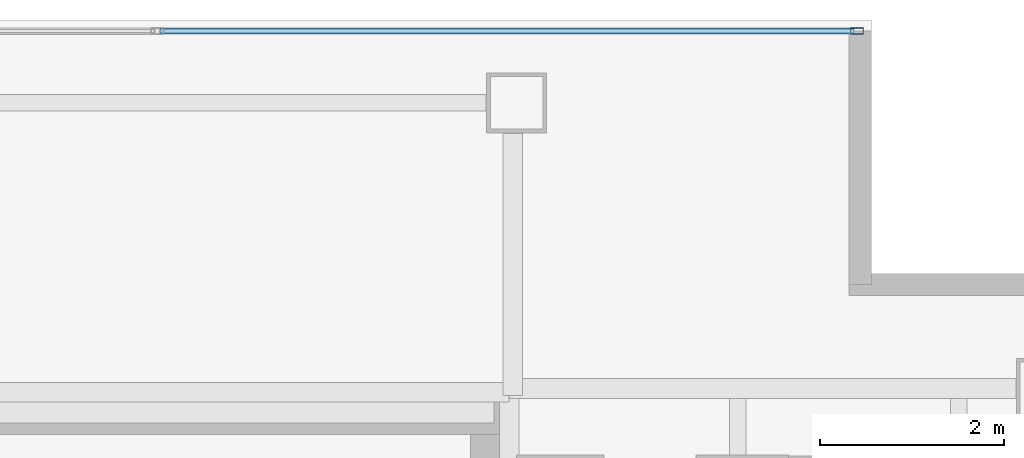
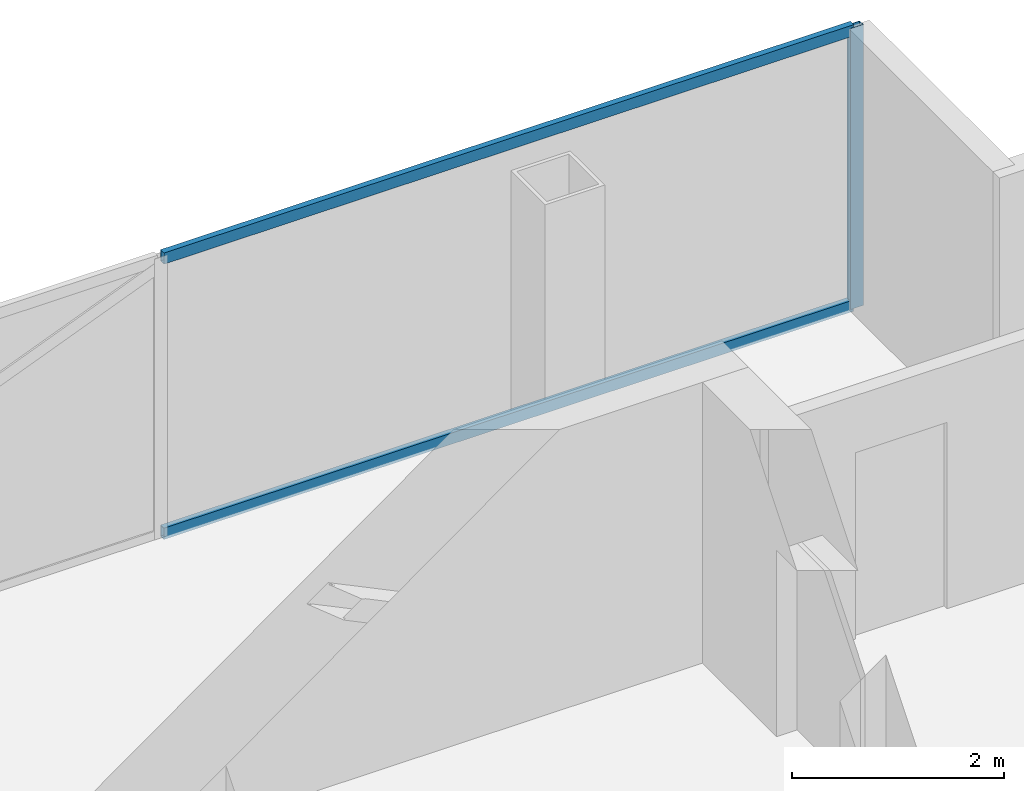
# One storey, part 19 of 24: 3 members, 1 element without a shape of its own.
"""IFC4 building model written with IfcOpenShell, lengths in metres."""

import ifcopenshell
import ifcopenshell.guid

model = None  # the IFC model being written
_history = None  # IfcOwnerHistory: only IFC2X3 demands one
_inside = {}  # id of a spatial element -> (the spatial element, [elements in it])
_under = {}  # id of a project, library or spatial element -> (it, [spatial elements below it])
_declared = {}  # id of a project -> (the project, [libraries it declares])
_typed = {}  # id of a type object -> (the type object, [elements of that type])
_made_of = {}  # id of a material, layer set ... -> (it, [elements and type objects made of it])


def new_model(schema):
    """Start an empty IFC model of exactly this schema.

    Asked for "IFC4X3", IfcOpenShell would pick the latest addendum, in which some entities
    have other attributes; the version numbers below select the first issue.
    IFC2X3 requires an IfcOwnerHistory on every rooted entity: one is made here for all.
    """
    global model, _history
    if schema == "IFC4X3":
        model = ifcopenshell.file(schema_version=(4, 3, 0, 0))
    else:
        model = ifcopenshell.file(schema=schema)
    _inside.clear()
    _under.clear()
    _declared.clear()
    _typed.clear()
    _made_of.clear()
    _history = None
    if model.schema == "IFC2X3":
        org = make("IfcOrganization", Name="unknown")
        user = make(
            "IfcPersonAndOrganization",
            ThePerson=make("IfcPerson", FamilyName="unknown"),
            TheOrganization=org,
        )
        app = make(
            "IfcApplication",
            ApplicationDeveloper=org,
            Version="unknown",
            ApplicationFullName="unknown",
            ApplicationIdentifier="unknown",
        )
        _history = make(
            "IfcOwnerHistory",
            OwningUser=user,
            OwningApplication=app,
            ChangeAction="ADDED",
            CreationDate=0,
        )
    return model


def make(cls, **values):
    """One entity of the class cls with the attributes given. An attribute that is None is left unset."""
    return model.create_entity(
        cls, **{name: value for name, value in values.items() if value is not None}
    )


def rooted(cls, **values):
    """An entity with a GlobalId (a new one), such as an element, a storey or a relation."""
    return make(cls, GlobalId=ifcopenshell.guid.new(), OwnerHistory=_history, **values)


def si_unit(unit_type, name, prefix=None):
    """IfcSIUnit, for example si_unit("LENGTHUNIT", "METRE", prefix="MILLI")."""
    return make("IfcSIUnit", UnitType=unit_type, Prefix=prefix, Name=name)


def assignment(units):
    """IfcUnitAssignment: the units of a project."""
    return None if units is None else make("IfcUnitAssignment", Units=units)


def point(xyz):
    """IfcCartesianPoint."""
    return None if xyz is None else make("IfcCartesianPoint", Coordinates=xyz)


def direction(xyz):
    """IfcDirection."""
    return None if xyz is None else make("IfcDirection", DirectionRatios=xyz)


def frame(location, z_axis=None, x_axis=None):
    """IfcAxis2Placement3D, a coordinate frame: its origin and axes. An axis left out is left unset."""
    return make(
        "IfcAxis2Placement3D",
        Location=point(location),
        Axis=direction(z_axis),
        RefDirection=direction(x_axis),
    )


def frame_2d(location, x_axis=None):
    """IfcAxis2Placement2D, a coordinate frame in the plane: its origin and x axis."""
    return make(
        "IfcAxis2Placement2D", Location=point(location), RefDirection=direction(x_axis)
    )


def origin():
    """The frame at (0, 0, 0) with its axes left unset."""
    return frame((0.0, 0.0, 0.0))


def origin_2d():
    """The frame at (0, 0) in the plane with its x axis left unset."""
    return frame_2d((0.0, 0.0))


def place(relative_to, where):
    """IfcLocalPlacement: puts the frame where relative to a parent placement (None: the world)."""
    return make(
        "IfcLocalPlacement", PlacementRelTo=relative_to, RelativePlacement=where
    )


def context(
    kind, dimensions, precision=None, world=None, true_north=None, identifier=None
):
    """IfcGeometricRepresentationContext, for example the 3D "Model" context."""
    return make(
        "IfcGeometricRepresentationContext",
        ContextIdentifier=identifier,
        ContextType=kind,
        CoordinateSpaceDimension=dimensions,
        Precision=precision,
        WorldCoordinateSystem=world,
        TrueNorth=true_north,
    )


def subcontext(parent, identifier, kind, view, scale=None):
    """IfcGeometricRepresentationSubContext, for example "Body" below "Model"."""
    return make(
        "IfcGeometricRepresentationSubContext",
        ContextIdentifier=identifier,
        ContextType=kind,
        ParentContext=parent,
        TargetScale=scale,
        TargetView=view,
    )


def project(units=None, contexts=None):
    """IfcProject with its units and contexts."""
    return rooted(
        "IfcProject",
        Name="project",
        RepresentationContexts=contexts,
        UnitsInContext=assignment(units),
    )


def spatial(cls, under=None, at=None, **own):
    """A site, building, storey or space (cls), placed at a placement, below another one or the project."""
    s = rooted(cls, ObjectPlacement=at, **own)
    if under is not None:
        _under.setdefault(under.id(), (under, []))[1].append(s)
    return s


def profile(cls, at=None, kind="AREA", **sizes):
    """A parametric profile (cls). Its sizes go by their IFC names, for example OverallWidth=200.0."""
    return make(cls, ProfileType=kind, Position=at, **sizes)


def hollow_rectangle(**sizes):
    """IfcRectangleHollowProfileDef."""
    return profile("IfcRectangleHollowProfileDef", **sizes)


def extrude(swept, where, along, depth):
    """IfcExtrudedAreaSolid: the profile swept, set in the frame where, extruded along a direction by depth."""
    return make(
        "IfcExtrudedAreaSolid",
        SweptArea=swept,
        Position=where,
        ExtrudedDirection=direction(along),
        Depth=depth,
    )


def shape(context_of_items, identifier, shape_type, items):
    """IfcShapeRepresentation: the items that make up one representation, for example the "Body"."""
    return make(
        "IfcShapeRepresentation",
        ContextOfItems=context_of_items,
        RepresentationIdentifier=identifier,
        RepresentationType=shape_type,
        Items=items,
    )


def material(Name=None, Category=None):
    """IfcMaterial."""
    return make("IfcMaterial", Name=Name, Category=Category)


def material_profile(
    of_material, cross_section, Name=None, Category=None, Priority=None
):
    """IfcMaterialProfile: a cross section and its material."""
    return make(
        "IfcMaterialProfile",
        Name=Name,
        Material=of_material,
        Profile=cross_section,
        Priority=Priority,
        Category=Category,
    )


def profile_set(profiles, Name=None, composite=None):
    """IfcMaterialProfileSet."""
    return make(
        "IfcMaterialProfileSet",
        Name=Name,
        MaterialProfiles=profiles,
        CompositeProfile=composite,
    )


def made_of(thing, what):
    """Note that an element or type object is made of a material, layer set ...; save() writes the relation."""
    if what is not None:
        _made_of.setdefault(what.id(), (what, []))[1].append(thing)
    return thing


def type_object(cls, material=None, **own):
    """A type object (cls), such as IfcWallType, which elements share."""
    return made_of(rooted(cls, **own), material)


def element(
    cls,
    number,
    at=None,
    inside=None,
    cuts=None,
    type_object=None,
    material=None,
    context=None,
    identifier="Body",
    shape_type=None,
    held_by="IfcProductDefinitionShape",
    body=None,
    shapes=None,
    **own,
):
    """One element of the class cls, such as IfcWall. Its Tag is "e" and its number.

    at: its placement. inside: the storey or other place that contains it. cuts: it is an
    opening in that element (IfcRelVoidsElement). A single representation is given by context,
    identifier, shape_type and body (its items); several are given by shapes. held_by: the class
    of the entity that holds the representations. save() writes the other relations.
    """
    e = rooted(cls, Tag="e%d" % number, ObjectPlacement=at, **own)
    if body is not None:
        shapes = [shape(context, identifier, shape_type, body)]
    if shapes is not None:
        e.Representation = make(held_by, Representations=shapes)
    if inside is not None:
        _inside.setdefault(inside.id(), (inside, []))[1].append(e)
    if cuts is not None:
        rooted(
            "IfcRelVoidsElement", RelatingBuildingElement=cuts, RelatedOpeningElement=e
        )
    if type_object is not None:
        _typed.setdefault(type_object.id(), (type_object, []))[1].append(e)
    return made_of(e, material)


def aggregate(whole, parts):
    """IfcRelAggregates: a whole, such as a stair, and the parts it consists of."""
    return rooted("IfcRelAggregates", RelatingObject=whole, RelatedObjects=parts)


def save(model, path):
    """Write the relations noted so far, then the file.

    IfcRelAggregates (storeys below a building ...), IfcRelContainedInSpatialStructure (elements
    in a storey), IfcRelDefinesByType, IfcRelAssociatesMaterial and IfcRelDeclares: one each for
    every whole, place, type object, material and project.
    """
    for whole, parts in _under.values():
        aggregate(whole, parts)
    for where, things in _inside.values():
        rooted(
            "IfcRelContainedInSpatialStructure",
            RelatedElements=things,
            RelatingStructure=where,
        )
    for kind, things in _typed.values():
        rooted("IfcRelDefinesByType", RelatedObjects=things, RelatingType=kind)
    for what, things in _made_of.values():
        rooted("IfcRelAssociatesMaterial", RelatedObjects=things, RelatingMaterial=what)
    for by, libraries in _declared.values():
        rooted("IfcRelDeclares", RelatingContext=by, RelatedDefinitions=libraries)
    model.write(path)


model = new_model("IFC4")

# Units and contexts
model_context = context("Model", 3, precision=1e-05, world=origin(), true_north=direction((0.0, 1.0)))
body_context = subcontext(model_context, "Body", "Model", "MODEL_VIEW")
ifc_project = project(units=[si_unit("LENGTHUNIT", "METRE"), si_unit("AREAUNIT", "SQUARE_METRE"), si_unit("VOLUMEUNIT", "CUBIC_METRE"), si_unit("PLANEANGLEUNIT", "RADIAN"), si_unit("MASSUNIT", "GRAM", prefix="KILO")], contexts=[model_context])

# Site, building, storey
site_placement = place(None, origin())
site = spatial("IfcSite", under=ifc_project, at=site_placement, CompositionType="ELEMENT")
building_placement = place(site_placement, origin())
building = spatial("IfcBuilding", under=site, at=building_placement, Name="Cobrela Telecom Tower", CompositionType="ELEMENT")
storey_placement = place(building_placement, frame((0.0, 0.0, 248.14990234375)))
storey = spatial("IfcBuildingStorey", under=building, at=storey_placement, Name="L64", CompositionType="ELEMENT", Elevation=248.14990234375)

# Curtain wall, members
ifc_material = material(Name="Anodized Bronze Aluminium 6063-T6", Category="aluminium")
curtain_wall_type = type_object("IfcCurtainWallType", Name="CW-SYS-OFF-HI", PredefinedType="USERDEFINED", material=ifc_material)
curtain_wall_placement = place(storey_placement, origin())
curtain_wall = element("IfcCurtainWall", 1, at=curtain_wall_placement, inside=storey, type_object=curtain_wall_type, Name="L64 Unitised Bronze Curtain Wall 05", ObjectType="UNITISED CURTAIN WALL", PredefinedType="USERDEFINED")
ifc_material_profile_1 = material_profile(ifc_material, hollow_rectangle(XDim=0.070068359375, YDim=0.139892578125, WallThickness=0.00390625, at=origin_2d()), Name="ALU 70x140x4")
ifc_profile_set_1 = profile_set([ifc_material_profile_1], Name="Anodized Bronze Aluminium 6063-T6")
member_type_1 = type_object("IfcMemberType", Name="CW-SYS-OFF-HI-MUL", PredefinedType="MULLION", material=ifc_profile_set_1)
member_1_placement = place(storey_placement, frame((18.094970703125, 39.8798828125, 0.0), z_axis=(0.0, 0.0, 1.0), x_axis=(0.0, 1.0, 0.0)))
member_1 = element("IfcMember", 2, at=member_1_placement, type_object=member_type_1, Name="CW-OFF-HI mullion 3", PredefinedType="MULLION", context=body_context, shape_type="SweptSolid", body=[
    extrude(hollow_rectangle(XDim=0.070068359375, YDim=0.139892578125, WallThickness=0.00390625, at=origin_2d()), origin(), (0.0, 0.0, 1.0), 3.239990234375),
])
ifc_material_profile_2 = material_profile(ifc_material, hollow_rectangle(XDim=0.06494140625, YDim=0.1298828125, WallThickness=0.00390625, at=origin_2d()), Name="ALU 65x130x4")
ifc_profile_set_2 = profile_set([ifc_material_profile_2], Name="Anodized Bronze Aluminium 6063-T6")
member_type_2 = type_object("IfcMemberType", Name="CW-SYS-OFF-HI-TRN", PredefinedType="USERDEFINED", material=ifc_profile_set_2)
member_2_placement = place(storey_placement, frame((10.534912109375, 39.8798828125, 0.03271484375), z_axis=(1.0, 0.0, 0.0), x_axis=(0.0, 1.0, 0.0)))
member_2 = element("IfcMember", 3, at=member_2_placement, type_object=member_type_2, Name="CW-OFF-HI transom 2.1", ObjectType="TRANSOM", PredefinedType="USERDEFINED", context=body_context, shape_type="SweptSolid", body=[
    extrude(hollow_rectangle(XDim=0.06494140625, YDim=0.1298828125, WallThickness=0.00390625, at=origin_2d()), origin(), (0.0, 0.0, 1.0), 7.525146484375),
])
member_3_placement = place(storey_placement, frame((10.534912109375, 39.8798828125, 3.20751953125), z_axis=(1.0, 0.0, 0.0), x_axis=(0.0, 1.0, 0.0)))
member_3 = element("IfcMember", 4, at=member_3_placement, type_object=member_type_2, Name="CW-OFF-HI transom 2.2", ObjectType="TRANSOM", PredefinedType="USERDEFINED", context=body_context, shape_type="SweptSolid", body=[
    extrude(hollow_rectangle(XDim=0.06494140625, YDim=0.1298828125, WallThickness=0.00390625, at=origin_2d()), origin(), (0.0, 0.0, 1.0), 7.525146484375),
])
aggregate(curtain_wall, [member_1, member_2, member_3])

save(model, "model.ifc")
